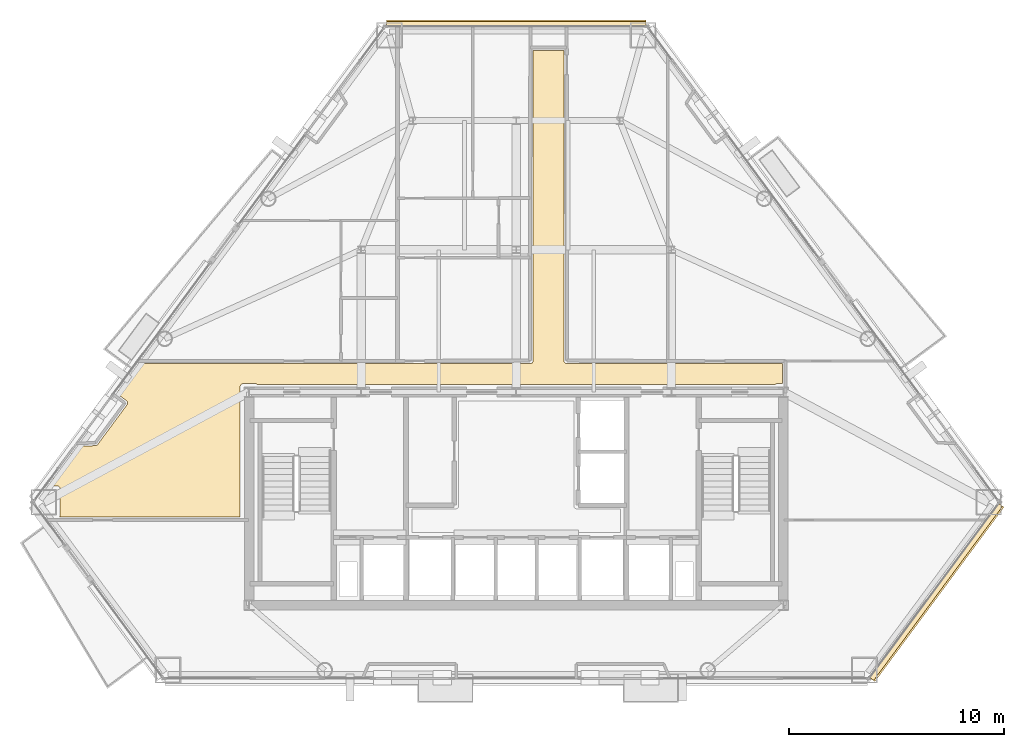
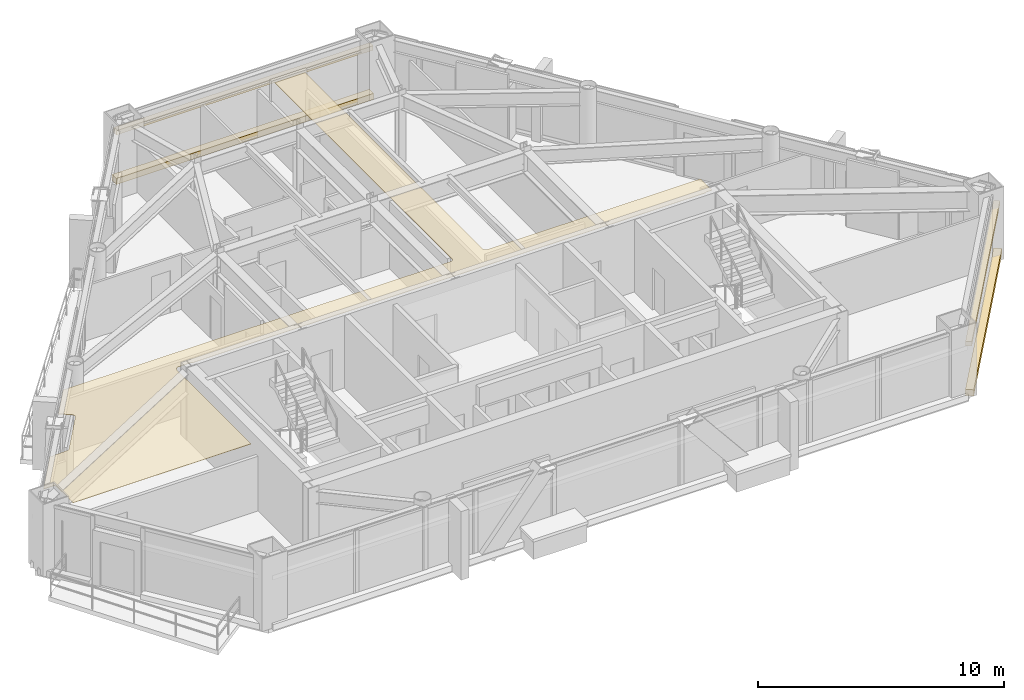
# One storey, part 12 of 13: 5 coverings.
"""IFC4 building model written with IfcOpenShell, lengths in metres."""

from ifc_helpers import new_model, si_unit, direction, frame, origin, origin_2d, place, context, subcontext, project, spatial, polyline, rectangle, outline, extrude, material, layer, layer_set, type_object, element, save


model = new_model("IFC4")

# Units and contexts
model_context = context("Model", 3, precision=1e-05, world=origin(), true_north=direction((0.0, 1.0)))
body_context = subcontext(model_context, "Body", "Model", "MODEL_VIEW")
ifc_project = project(units=[si_unit("LENGTHUNIT", "METRE"), si_unit("AREAUNIT", "SQUARE_METRE"), si_unit("VOLUMEUNIT", "CUBIC_METRE"), si_unit("PLANEANGLEUNIT", "RADIAN"), si_unit("MASSUNIT", "GRAM", prefix="KILO")], contexts=[model_context])

# Site, building, storey
site_placement = place(None, origin())
site = spatial("IfcSite", under=ifc_project, at=site_placement, CompositionType="ELEMENT")
building_placement = place(site_placement, origin())
building = spatial("IfcBuilding", under=site, at=building_placement, Name="Talgorran Terracotta Tower", CompositionType="ELEMENT")
storey_placement = place(building_placement, frame((0.0, 0.0, 106.800048828125)))
storey = spatial("IfcBuildingStorey", under=building, at=storey_placement, Name="L27", CompositionType="ELEMENT", Elevation=106.800048828125)

# Coverings
ifc_material_1 = material(Name="Kiln-Fired Terracotta Ochre Ceramic", Category="masonry")
ifc_layer_1 = layer(ifc_material_1, 0.179931640625, Name="COV_BAGUETTE_TERRACOTTA_SCREEN")
ifc_layer_set_1 = layer_set([ifc_layer_1], Name="Kiln-Fired Terracotta Ochre Ceramic")
covering_type_1 = type_object("IfcCoveringType", Name="COV_BAGUETTE_TERRACOTTA_SCREEN", PredefinedType="CLADDING", material=ifc_layer_set_1)
covering_1_placement = place(storey_placement, frame((19.480712890625, -13.47119140625, 2.41015625), z_axis=(0.0, 0.0, 1.0), x_axis=(0.594906963183, 0.803794566513, 0.0)))
element("IfcCovering", 1, at=covering_1_placement, inside=storey, type_object=covering_type_1, Name="L27 Terracotta Baguette Solar Screen Assembly F2", PredefinedType="CLADDING", context=body_context, shape_type="SweptSolid", body=[
    extrude(rectangle(XDim=10.052001953125, YDim=0.260009765625, at=origin_2d()), origin(), (0.0, 0.0, 1.0), 0.219970703125),
])
covering_2_placement = place(storey_placement, frame((0.0, 12.8623046875, 2.41015625), z_axis=(0.0, 0.0, 1.0), x_axis=(-1.0, 0.0, 0.0)))
element("IfcCovering", 2, at=covering_2_placement, inside=storey, type_object=covering_type_1, Name="L27 Terracotta Baguette Solar Screen Assembly F4", PredefinedType="CLADDING", context=body_context, shape_type="SweptSolid", body=[
    extrude(rectangle(XDim=12.043212890625, YDim=0.260009765625, at=origin_2d()), origin(), (0.0, 0.0, 1.0), 0.219970703125),
])
ifc_material_2 = material(Name="Mineral Fibre Acoustic Tile")
ifc_layer_2 = layer(ifc_material_2, 0.02490234375, Name="COV_CEIL_ACOUSTIC")
ifc_layer_set_2 = layer_set([ifc_layer_2], Name="Mineral Fibre Acoustic Tile")
covering_type_2 = type_object("IfcCoveringType", Name="COV_CEIL_ACOUSTIC", PredefinedType="CEILING", material=ifc_layer_set_2)
covering_3_placement = place(storey_placement, frame((0.0, 0.0, 3.260009765625)))
element("IfcCovering", 3, at=covering_3_placement, inside=storey, type_object=covering_type_2, Name="CEIL-L27-2", PredefinedType="CEILING", context=body_context, shape_type="SweptSolid", body=[
    extrude(outline(polyline([(-21.20263671875, -10.009033203125), (-21.198486328125, -10.002197265625), (-21.193359375, -9.991455078125), (-21.189453125, -9.98046875), (-21.1865234375, -9.968994140625), (-21.184814453125, -9.95751953125), (-21.184326171875, -9.945556640625), (-21.184326171875, -8.685546875), (-21.184814453125, -8.673828125), (-21.1865234375, -8.662109375), (-21.189453125, -8.65087890625), (-21.193359375, -8.6396484375), (-21.198486328125, -8.62890625), (-21.20458984375, -8.618896484375), (-21.21142578125, -8.609619140625), (-21.219482421875, -8.6005859375), (-21.228271484375, -8.5927734375), (-21.237548828125, -8.585693359375), (-21.247802734375, -8.579833984375), (-21.25830078125, -8.57470703125), (-21.26953125, -8.57080078125), (-21.281005859375, -8.56787109375), (-21.29248046875, -8.566162109375), (-21.30419921875, -8.565673828125), (-21.74609375, -8.565673828125), (-20.384765625, -6.72607421875), (-20.377685546875, -6.72607421875), (-19.539306640625, -6.6875), (-19.529541015625, -6.686767578125), (-19.519775390625, -6.68505859375), (-19.51171875, -6.683349609375), (-19.499267578125, -6.679931640625), (-19.487060546875, -6.675048828125), (-19.4755859375, -6.6689453125), (-19.46826171875, -6.664794921875), (-19.45849609375, -6.658203125), (-19.44921875, -6.650634765625), (-19.44091796875, -6.642333984375), (-19.433349609375, -6.63330078125), (-19.051513671875, -6.118408203125), (-19.051513671875, -6.118408203125), (-18.0732421875, -4.796630859375), (-18.06787109375, -4.78857421875), (-18.06298828125, -4.780029296875), (-18.059326171875, -4.772705078125), (-18.053955078125, -4.7607421875), (-18.0498046875, -4.748291015625), (-18.04736328125, -4.7353515625), (-18.046142578125, -4.727294921875), (-18.044921875, -4.716796875), (-18.044921875, -4.7060546875), (-18.045654296875, -4.695556640625), (-18.04736328125, -4.685302734375), (-18.049072265625, -4.676513671875), (-18.052490234375, -4.6640625), (-18.057373046875, -4.651611328125), (-18.063232421875, -4.64013671875), (-18.0673828125, -4.633056640625), (-18.07421875, -4.623046875), (-18.081787109375, -4.61376953125), (-18.090087890625, -4.605224609375), (-18.099365234375, -4.59765625), (-18.557861328125, -4.2578125), (-17.541748046875, -2.885009765625), (0.639892578125, -2.885009765625), (0.649658203125, -2.884521484375), (0.6591796875, -2.88330078125), (0.667236328125, -2.882080078125), (0.68017578125, -2.87939453125), (0.692626953125, -2.875), (0.70458984375, -2.869384765625), (0.7119140625, -2.865478515625), (0.7236328125, -2.8583984375), (0.734375, -2.85009765625), (0.744140625, -2.840576171875), (0.75, -2.833984375), (0.7587890625, -2.8232421875), (0.76611328125, -2.811767578125), (0.77197265625, -2.79931640625), (0.775146484375, -2.791748046875), (0.779296875, -2.780517578125), (0.781982421875, -2.76904296875), (0.78369140625, -2.75732421875), (0.784423828125, -2.74560546875), (0.784912109375, 11.6650390625), (2.215087890625, 11.6650390625), (2.215087890625, -2.739990234375), (2.21533203125, -2.749755859375), (2.216552734375, -2.75927734375), (2.218017578125, -2.76708984375), (2.220703125, -2.780029296875), (2.224853515625, -2.79248046875), (2.23046875, -2.804443359375), (2.234375, -2.811767578125), (2.241455078125, -2.823486328125), (2.25, -2.83447265625), (2.259521484375, -2.84423828125), (2.26611328125, -2.85009765625), (2.276611328125, -2.858642578125), (2.288330078125, -2.865966796875), (2.300537109375, -2.8720703125), (2.308349609375, -2.875244140625), (2.319580078125, -2.879150390625), (2.330810546875, -2.882080078125), (2.342529296875, -2.8837890625), (2.3544921875, -2.884521484375), (12.364990234375, -2.885009765625), (12.364990234375, -3.80908203125), (12.1201171875, -3.80908203125), (12.108154296875, -3.8095703125), (12.0966796875, -3.811279296875), (12.085205078125, -3.814208984375), (12.07421875, -3.818115234375), (12.0634765625, -3.8232421875), (12.05322265625, -3.8291015625), (12.0439453125, -3.836181640625), (12.03515625, -3.843994140625), (12.034423828125, -3.844970703125), (7.432861328125, -3.844970703125), (6.968017578125, -3.843017578125), (6.967529296875, -3.843017578125), (0.232666015625, -3.844970703125), (-0.23193359375, -3.843017578125), (-0.232421875, -3.843017578125), (-6.96728515625, -3.844970703125), (-7.431884765625, -3.843017578125), (-7.4326171875, -3.843017578125), (-12.034423828125, -3.844970703125), (-12.03515625, -3.843994140625), (-12.0439453125, -3.836181640625), (-12.05322265625, -3.8291015625), (-12.0634765625, -3.8232421875), (-12.07421875, -3.818115234375), (-12.085205078125, -3.814208984375), (-12.0966796875, -3.811279296875), (-12.108154296875, -3.8095703125), (-12.1201171875, -3.80908203125), (-12.679931640625, -3.80908203125), (-12.69189453125, -3.8095703125), (-12.703369140625, -3.811279296875), (-12.71484375, -3.814208984375), (-12.725830078125, -3.818115234375), (-12.736572265625, -3.8232421875), (-12.74658203125, -3.8291015625), (-12.756103515625, -3.836181640625), (-12.764892578125, -3.843994140625), (-12.772705078125, -3.852783203125), (-12.77978515625, -3.8623046875), (-12.785888671875, -3.872314453125), (-12.791015625, -3.883056640625), (-12.792724609375, -3.88818359375), (-12.794189453125, -3.889404296875), (-12.800048828125, -3.89599609375), (-12.80859375, -3.90673828125), (-12.81591796875, -3.918212890625), (-12.822021484375, -3.9306640625), (-12.8251953125, -3.938232421875), (-12.8291015625, -3.949462890625), (-12.83203125, -3.9609375), (-12.833740234375, -3.97265625), (-12.83447265625, -3.984375), (-12.8349609375, -10.009033203125), (-21.20263671875, -10.009033203125)])), origin(), (0.0, 0.0, 1.0), 0.02001953125),
])
ifc_material_3 = material(Name="Kiln-Fired Terracotta Cladding", Category="masonry")
ifc_layer_3 = layer(ifc_material_3, 0.090087890625, Name="COV_PORTAL_TERRA")
ifc_layer_set_3 = layer_set([ifc_layer_3], Name="Kiln-Fired Terracotta Cladding")
covering_type_3 = type_object("IfcCoveringType", Name="COV_PORTAL_TERRA", PredefinedType="CLADDING", material=ifc_layer_set_3)
covering_4_placement = place(storey_placement, frame((19.5126953125, -13.4951171875, -0.0400390625), z_axis=(0.0, 0.0, 1.0), x_axis=(0.594906963183, 0.803794566513, 0.0)))
element("IfcCovering", 4, at=covering_4_placement, inside=storey, type_object=covering_type_3, Name="L27 Striped Postmodern Portal Cladding Band F2", PredefinedType="CLADDING", context=body_context, shape_type="SweptSolid", body=[
    extrude(rectangle(XDim=10.072021484375, YDim=0.340087890625, at=origin_2d()), origin(), (0.0, 0.0, 1.0), 0.300048828125),
])
covering_5_placement = place(storey_placement, frame((0.0, 12.902099609375, -0.0400390625), z_axis=(0.0, 0.0, 1.0), x_axis=(-1.0, 0.0, 0.0)))
element("IfcCovering", 5, at=covering_5_placement, inside=storey, type_object=covering_type_3, Name="L27 Striped Postmodern Portal Cladding Band F4", PredefinedType="CLADDING", context=body_context, shape_type="SweptSolid", body=[
    extrude(rectangle(XDim=12.063232421875, YDim=0.340087890625, at=origin_2d()), origin(), (0.0, 0.0, 1.0), 0.300048828125),
])

save(model, "model.ifc")
